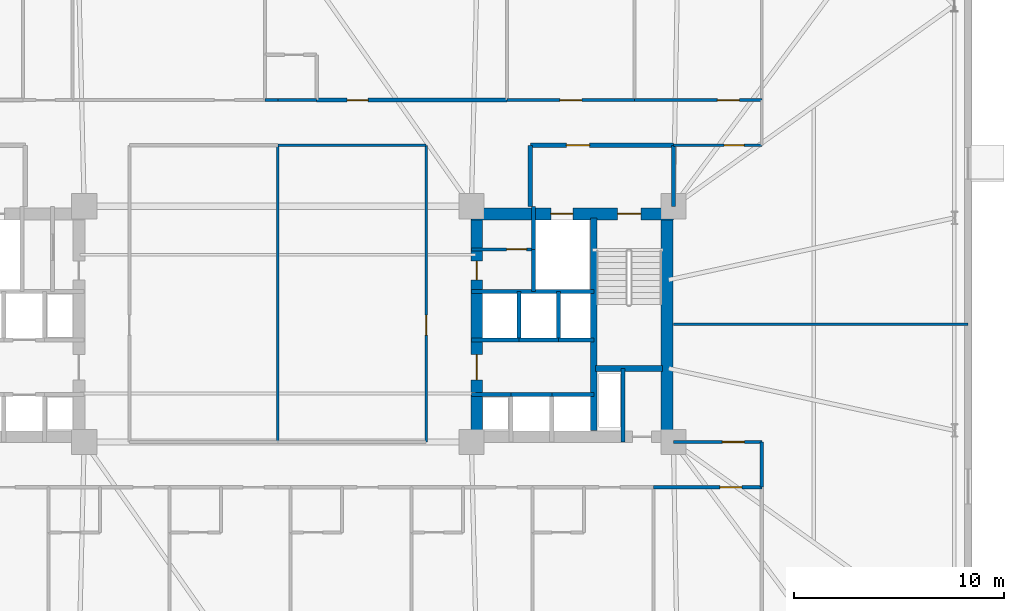
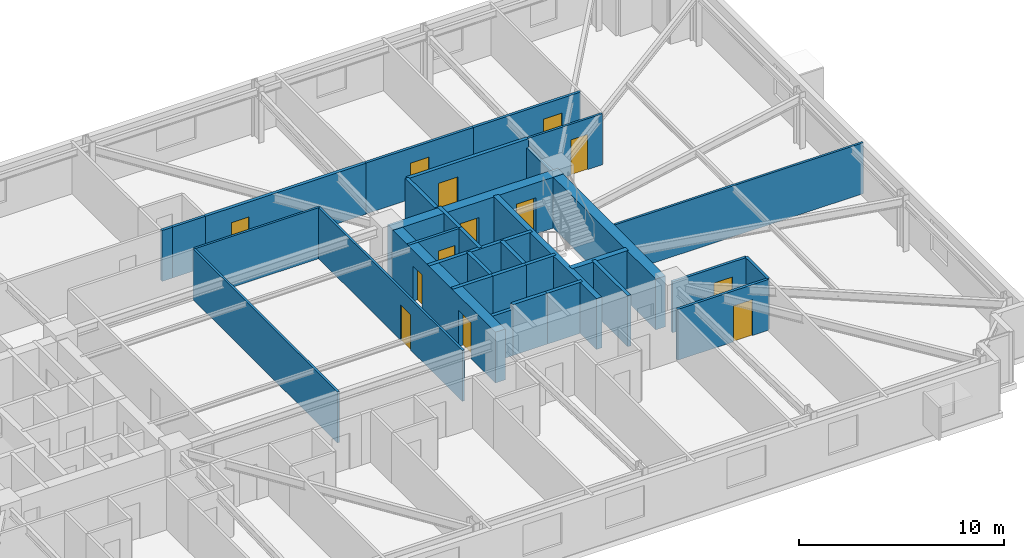
# One storey, part 17 of 20: 34 walls, 13 doors, 13 openings.
"""IFC4 building model written with IfcOpenShell, lengths in metres."""

from ifc_helpers import new_model, si_unit, direction, frame, frame_2d, origin, place, context, subcontext, project, spatial, rectangle, extrude, material, layer, layer_set, type_object, element, fill, save


model = new_model("IFC4")

# Units and contexts
model_context = context("Model", 3, precision=1e-05, world=origin(), true_north=direction((0.0, 1.0)))
body_context = subcontext(model_context, "Body", "Model", "MODEL_VIEW")
ifc_project = project(units=[si_unit("LENGTHUNIT", "METRE"), si_unit("AREAUNIT", "SQUARE_METRE"), si_unit("VOLUMEUNIT", "CUBIC_METRE"), si_unit("PLANEANGLEUNIT", "RADIAN"), si_unit("MASSUNIT", "GRAM", prefix="KILO")], contexts=[model_context])

# Site, building, storey
site_placement = place(None, origin())
site = spatial("IfcSite", under=ifc_project, at=site_placement, CompositionType="ELEMENT")
building_placement = place(site_placement, origin())
building = spatial("IfcBuilding", under=site, at=building_placement, Name="Qobustan Lattice House", CompositionType="ELEMENT")
storey_placement = place(building_placement, frame((0.0, 0.0, 67.199951171875)))
storey = spatial("IfcBuildingStorey", under=building, at=storey_placement, Name="L18", CompositionType="ELEMENT", Elevation=67.199951171875)

# Wall, openings, doors
ifc_material_1 = material(Name="Concrete C60/75", Category="concrete")
ifc_layer_1 = layer(ifc_material_1, 0.56005859375)
ifc_layer_set_1 = layer_set([ifc_layer_1], Name="Concrete C60/75")
wall_type_1 = type_object("IfcWallType", Name="WAL-CORE-600", PredefinedType="SHEAR", material=ifc_layer_set_1)
wall_1_placement = place(storey_placement, frame((9.199951171875, 5.239990234375, 0.0), z_axis=(0.0, 0.0, 1.0), x_axis=(1.0, 0.0, 0.0)))
wall_1 = element("IfcWall", 1, at=wall_1_placement, inside=storey, type_object=wall_type_1, Name="L18 split-core shear wall CE-N", PredefinedType="SHEAR", context=body_context, shape_type="SweptSolid", body=[
    extrude(rectangle(XDim=9.60009765625, YDim=0.56005859375, at=frame_2d((4.800048828125, 0.0))), origin(), (0.0, 0.0, 1.0), 3.03515625),
])
opening_1_placement = place(wall_1_placement, frame((6.949951171875, 0.0, 0.0)))
opening_1 = element("IfcOpeningElement", 2, at=opening_1_placement, cuts=wall_1, Name="Opening SD-01", PredefinedType="OPENING", context=body_context, shape_type="SweptSolid", body=[
    extrude(rectangle(XDim=1.10009765625, YDim=2.14990234375, at=frame_2d((0.550048828125, 1.074951171875))), frame((0.0, 0.2900390625, 0.0), z_axis=(0.0, -1.0, 0.0), x_axis=(1.0, 0.0, 0.0)), (0.0, 0.0, 1.0), 0.580078125),
])
opening_2_placement = place(wall_1_placement, frame((3.77490234375, 0.0, 0.0)))
opening_2 = element("IfcOpeningElement", 3, at=opening_2_placement, cuts=wall_1, Name="Opening LD-01", PredefinedType="OPENING", context=body_context, shape_type="SweptSolid", body=[
    extrude(rectangle(XDim=1.050048828125, YDim=2.10009765625, at=frame_2d((0.52490234375, 1.050048828125))), frame((0.0, 0.2900390625, 0.0), z_axis=(0.0, -1.0, 0.0), x_axis=(1.0, 0.0, 0.0)), (0.0, 0.0, 1.0), 0.580078125),
])
ifc_material_2 = material(Name="Persian walnut timber and steel frame door", Category="steel")
door_type_1 = type_object("IfcDoorType", Name="DOR-LIFT-LD-1050x2100", OperationType="NOTDEFINED", PredefinedType="DOOR", material=ifc_material_2)
door_1_placement = place(opening_2_placement, origin())
door_1 = element("IfcDoor", 4, at=door_1_placement, inside=storey, type_object=door_type_1, Name="L18 firefighting lift FF-E landing door", OperationType="DOUBLE_DOOR_SLIDING", OverallHeight=2.10009765625, OverallWidth=1.050048828125, PredefinedType="DOOR", context=body_context, shape_type="SweptSolid", body=[
    extrude(rectangle(XDim=1.050048828125, YDim=2.10009765625, at=frame_2d((0.52490234375, 1.050048828125))), frame((0.0, 0.02490234375, 0.0), z_axis=(0.0, -1.0, 0.0), x_axis=(1.0, 0.0, 0.0)), (0.0, 0.0, 1.0), 0.050048828125),
])
fill(opening_2, door_1)
ifc_material_3 = material(Name="Persian walnut timber and steel frame door", Category="steel")
door_type_2 = type_object("IfcDoorType", Name="DOR-STAIR-FD-1100x2150", OperationType="NOTDEFINED", PredefinedType="DOOR", material=ifc_material_3)
door_2_placement = place(opening_1_placement, origin())
door_2 = element("IfcDoor", 5, at=door_2_placement, inside=storey, type_object=door_type_2, Name="L18 exit stair ST-E1 fire door", OperationType="SINGLE_SWING_RIGHT", OverallHeight=2.14990234375, OverallWidth=1.10009765625, PredefinedType="DOOR", context=body_context, shape_type="SweptSolid", body=[
    extrude(rectangle(XDim=1.10009765625, YDim=2.14990234375, at=frame_2d((0.550048828125, 1.074951171875))), frame((0.0, 0.02490234375, 0.0), z_axis=(0.0, -1.0, 0.0), x_axis=(1.0, 0.0, 0.0)), (0.0, 0.0, 1.0), 0.050048828125),
])
fill(opening_1, door_2)

wall_2_placement = place(storey_placement, frame((9.449951171875, -5.050048828125, 0.0), z_axis=(0.0, 0.0, 1.0), x_axis=(0.0, 1.0, 0.0)))
wall_2 = element("IfcWall", 6, at=wall_2_placement, inside=storey, type_object=wall_type_1, Name="L18 split-core shear wall CE-W", PredefinedType="SHEAR", context=body_context, shape_type="SweptSolid", body=[
    extrude(rectangle(XDim=10.10009765625, YDim=0.56005859375, at=frame_2d((5.050048828125, 0.0))), origin(), (0.0, 0.0, 1.0), 3.03515625),
])
opening_3_placement = place(wall_2_placement, frame((7.14990234375, 0.0, 0.0)))
opening_3 = element("IfcOpeningElement", 7, at=opening_3_placement, cuts=wall_2, Name="Opening RD-01", PredefinedType="OPENING", context=body_context, shape_type="SweptSolid", body=[
    extrude(rectangle(XDim=0.89990234375, YDim=2.10009765625, at=frame_2d((0.449951171875, 1.050048828125))), frame((0.0, 0.2900390625, 0.0), z_axis=(0.0, -1.0, 0.0), x_axis=(1.0, 0.0, 0.0)), (0.0, 0.0, 1.0), 0.580078125),
])
opening_4_placement = place(wall_2_placement, frame((2.39990234375, 0.0, 0.0)))
opening_4 = element("IfcOpeningElement", 8, at=opening_4_placement, cuts=wall_2, Name="Opening FD-01", PredefinedType="OPENING", context=body_context, shape_type="SweptSolid", body=[
    extrude(rectangle(XDim=1.199951171875, YDim=2.14990234375, at=frame_2d((0.60009765625, 1.074951171875))), frame((0.0, 0.2900390625, 0.0), z_axis=(0.0, -1.0, 0.0), x_axis=(1.0, 0.0, 0.0)), (0.0, 0.0, 1.0), 0.580078125),
])
ifc_material_4 = material(Name="Persian walnut timber and steel frame door", Category="steel")
door_type_3 = type_object("IfcDoorType", Name="DOR-LOBBY-FD-1200x2150", OperationType="NOTDEFINED", PredefinedType="DOOR", material=ifc_material_4)
door_3_placement = place(opening_4_placement, origin())
door_3 = element("IfcDoor", 9, at=door_3_placement, inside=storey, type_object=door_type_3, Name="L18 East passenger lift lobby fire door", OperationType="SINGLE_SWING_RIGHT", OverallHeight=2.14990234375, OverallWidth=1.199951171875, PredefinedType="DOOR", context=body_context, shape_type="SweptSolid", body=[
    extrude(rectangle(XDim=1.199951171875, YDim=2.14990234375, at=frame_2d((0.60009765625, 1.074951171875))), frame((0.0, 0.02490234375, 0.0), z_axis=(0.0, -1.0, 0.0), x_axis=(1.0, 0.0, 0.0)), (0.0, 0.0, 1.0), 0.050048828125),
])
fill(opening_4, door_3)
ifc_material_5 = material(Name="Persian walnut timber and steel frame door", Category="steel")
door_type_4 = type_object("IfcDoorType", Name="DOR-RISER-FD-900x2100", OperationType="NOTDEFINED", PredefinedType="DOOR", material=ifc_material_5)
door_4_placement = place(opening_3_placement, origin())
door_4 = element("IfcDoor", 10, at=door_4_placement, inside=storey, type_object=door_type_4, Name="L18 Housekeeping utility foyer fire door", OperationType="SINGLE_SWING_LEFT", OverallHeight=2.10009765625, OverallWidth=0.89990234375, PredefinedType="DOOR", context=body_context, shape_type="SweptSolid", body=[
    extrude(rectangle(XDim=0.89990234375, YDim=2.10009765625, at=frame_2d((0.449951171875, 1.050048828125))), frame((0.0, 0.02490234375, 0.0), z_axis=(0.0, -1.0, 0.0), x_axis=(1.0, 0.0, 0.0)), (0.0, 0.0, 1.0), 0.050048828125),
])
fill(opening_3, door_4)

# Walls
wall_3_placement = place(storey_placement, frame((18.489990234375, -5.050048828125, 0.0), z_axis=(0.0, 0.0, 1.0), x_axis=(0.0, 1.0, 0.0)))
element("IfcWall", 11, at=wall_3_placement, inside=storey, type_object=wall_type_1, Name="L18 split-core shear wall CE-E", PredefinedType="SHEAR", context=body_context, shape_type="SweptSolid", body=[
    extrude(rectangle(XDim=10.10009765625, YDim=0.56005859375, at=frame_2d((5.050048828125, 0.0))), origin(), (0.0, 0.0, 1.0), 3.03515625),
])
ifc_material_6 = material(Name="Concrete C50/60", Category="concrete")
ifc_layer_2 = layer(ifc_material_6, 0.280029296875)
ifc_layer_set_2 = layer_set([ifc_layer_2], Name="Concrete C50/60")
wall_type_2 = type_object("IfcWallType", Name="WAL-CORE-SPINE-280", PredefinedType="SHEAR", material=ifc_layer_set_2)
wall_4_placement = place(storey_placement, frame((15.02001953125, -5.050048828125, 0.0), z_axis=(0.0, 0.0, 1.0), x_axis=(0.0, 1.0, 0.0)))
element("IfcWall", 12, at=wall_4_placement, inside=storey, type_object=wall_type_2, Name="L18 split-core shear wall CE-M", PredefinedType="SHEAR", context=body_context, shape_type="SweptSolid", body=[
    extrude(rectangle(XDim=10.10009765625, YDim=0.300048828125, at=frame_2d((5.050048828125, 0.0))), origin(), (0.0, 0.0, 1.0), 3.03515625),
])
wall_5_placement = place(storey_placement, frame((15.10009765625, -2.110107421875, 0.0), z_axis=(0.0, 0.0, 1.0), x_axis=(1.0, 0.0, 0.0)))
element("IfcWall", 13, at=wall_5_placement, inside=storey, type_object=wall_type_2, Name="L18 split-core shear wall CE-ST", PredefinedType="SHEAR", context=body_context, shape_type="SweptSolid", body=[
    extrude(rectangle(XDim=3.179931640625, YDim=0.300048828125, at=frame_2d((1.58984375, 0.0))), origin(), (0.0, 0.0, 1.0), 3.03515625),
])

# Wall, opening, door
ifc_material_7 = material(Name="Gypsum fireboard acoustic partition", Category="gypsum")
ifc_layer_3 = layer(ifc_material_7, 0.179931640625)
ifc_layer_set_3 = layer_set([ifc_layer_3], Name="Gypsum fireboard acoustic partition")
wall_type_3 = type_object("IfcWallType", Name="WAL-FIRE-180", PredefinedType="PARTITIONING", material=ifc_layer_set_3)
wall_6_placement = place(storey_placement, frame((1.85009765625, 10.64990234375, 0.0), z_axis=(0.0, 0.0, 1.0), x_axis=(1.0, 0.0, 0.0)))
wall_6 = element("IfcWall", 14, at=wall_6_placement, inside=storey, type_object=wall_type_3, Name="L18 interior partition 49", PredefinedType="PARTITIONING", context=body_context, shape_type="SweptSolid", body=[
    extrude(rectangle(XDim=9.0498046875, YDim=0.179931640625, at=frame_2d((4.52490234375, 0.0))), origin(), (0.0, 0.0, 1.0), 3.03515625),
])
opening_5_placement = place(wall_6_placement, frame((1.44140625, 0.0, 0.0)))
opening_5 = element("IfcOpeningElement", 15, at=opening_5_placement, cuts=wall_6, Name="Opening FD-02", PredefinedType="OPENING", context=body_context, shape_type="SweptSolid", body=[
    extrude(rectangle(XDim=1.0, YDim=2.14990234375, at=frame_2d((0.5, 1.074951171875))), frame((0.0, 0.099853515625, 0.0), z_axis=(0.0, -1.0, 0.0), x_axis=(1.0, 0.0, 0.0)), (0.0, 0.0, 1.0), 0.199951171875),
])
ifc_material_8 = material(Name="Persian walnut timber and steel frame door", Category="steel")
door_type_5 = type_object("IfcDoorType", Name="DOR-UNIT-FD-1000x2150", OperationType="NOTDEFINED", PredefinedType="DOOR", material=ifc_material_8)
door_5_placement = place(opening_5_placement, origin())
door_5 = element("IfcDoor", 16, at=door_5_placement, inside=storey, type_object=door_type_5, Name="L18 North-east floor corridor to Kitchenette and studio apartment L18-N3 door", OperationType="SINGLE_SWING_LEFT", OverallHeight=2.14990234375, OverallWidth=1.0, PredefinedType="DOOR", context=body_context, shape_type="SweptSolid", body=[
    extrude(rectangle(XDim=1.0, YDim=2.14990234375, at=frame_2d((0.5, 1.074951171875))), frame((0.0, 0.02490234375, 0.0), z_axis=(0.0, -1.0, 0.0), x_axis=(1.0, 0.0, 0.0)), (0.0, 0.0, 1.0), 0.050048828125),
])
fill(opening_5, door_5)

ifc_material_9 = material(Name="Lightweight acoustic stud partition", Category="gypsum")
ifc_layer_4 = layer(ifc_material_9, 0.125)
ifc_layer_set_4 = layer_set([ifc_layer_4], Name="Lightweight acoustic stud partition")
wall_type_4 = type_object("IfcWallType", Name="WAL-PART-125", PredefinedType="PARTITIONING", material=ifc_layer_set_4)
wall_7_placement = place(storey_placement, frame((23.0, 8.5, 0.0), z_axis=(0.0, 0.0, 1.0), x_axis=(-1.0, 0.0, 0.0)))
wall_7 = element("IfcWall", 17, at=wall_7_placement, inside=storey, type_object=wall_type_4, Name="L18 interior partition 47", PredefinedType="PARTITIONING", context=body_context, shape_type="SweptSolid", body=[
    extrude(rectangle(XDim=4.199951171875, YDim=0.125, at=frame_2d((2.10009765625, 0.0))), origin(), (0.0, 0.0, 1.0), 3.03515625),
])
opening_6_placement = place(wall_7_placement, frame((0.84130859375, 0.0, 0.0)))
opening_6 = element("IfcOpeningElement", 18, at=opening_6_placement, cuts=wall_7, Name="Opening ID-01", PredefinedType="OPENING", context=body_context, shape_type="SweptSolid", body=[
    extrude(rectangle(XDim=0.949951171875, YDim=2.10009765625, at=frame_2d((0.47509765625, 1.050048828125))), frame((0.0, 0.072509765625, 0.0), z_axis=(0.0, -1.0, 0.0), x_axis=(1.0, 0.0, 0.0)), (0.0, 0.0, 1.0), 0.14501953125),
])
ifc_material_10 = material(Name="Persian walnut timber and steel frame door", Category="steel")
door_type_6 = type_object("IfcDoorType", Name="DOR-ROOM-950x2100", OperationType="NOTDEFINED", PredefinedType="DOOR", material=ifc_material_10)
door_6_placement = place(opening_6_placement, origin())
door_6 = element("IfcDoor", 19, at=door_6_placement, inside=storey, type_object=door_type_6, Name="L18 North-east floor corridor to Music and podcast studio door", OperationType="SINGLE_SWING_RIGHT", OverallHeight=2.10009765625, OverallWidth=0.949951171875, PredefinedType="DOOR", context=body_context, shape_type="SweptSolid", body=[
    extrude(rectangle(XDim=0.949951171875, YDim=2.10009765625, at=frame_2d((0.47509765625, 1.050048828125))), frame((0.0, 0.02490234375, 0.0), z_axis=(0.0, -1.0, 0.0), x_axis=(1.0, 0.0, 0.0)), (0.0, 0.0, 1.0), 0.050048828125),
])
fill(opening_6, door_6)

# Wall
wall_8_placement = place(storey_placement, frame((7.050048828125, 8.5, 0.0), z_axis=(0.0, 0.0, 1.0), x_axis=(-1.0, 0.0, 0.0)))
element("IfcWall", 20, at=wall_8_placement, inside=storey, type_object=wall_type_4, Name="L18 interior partition 53", PredefinedType="PARTITIONING", context=body_context, shape_type="SweptSolid", body=[
    extrude(rectangle(XDim=7.050048828125, YDim=0.125, at=frame_2d((3.52490234375, 0.0))), origin(), (0.0, 0.0, 1.0), 3.03515625),
])

# Wall, opening, door
wall_9_placement = place(storey_placement, frame((7.050048828125, -5.60009765625, 0.0), z_axis=(0.0, 0.0, 1.0), x_axis=(0.0, 1.0, 0.0)))
wall_9 = element("IfcWall", 21, at=wall_9_placement, inside=storey, type_object=wall_type_4, Name="L18 interior partition 77", PredefinedType="PARTITIONING", context=body_context, shape_type="SweptSolid", body=[
    extrude(rectangle(XDim=14.10009765625, YDim=0.125, at=frame_2d((7.050048828125, 0.0))), origin(), (0.0, 0.0, 1.0), 3.03515625),
])
opening_7_placement = place(wall_9_placement, frame((5.076171875, 0.0, 0.0)))
opening_7 = element("IfcOpeningElement", 22, at=opening_7_placement, cuts=wall_9, Name="Opening ID-01", PredefinedType="OPENING", context=body_context, shape_type="SweptSolid", body=[
    extrude(rectangle(XDim=0.949951171875, YDim=2.10009765625, at=frame_2d((0.47509765625, 1.050048828125))), frame((0.0, 0.072509765625, 0.0), z_axis=(0.0, -1.0, 0.0), x_axis=(1.0, 0.0, 0.0)), (0.0, 0.0, 1.0), 0.14501953125),
])
door_7_placement = place(opening_7_placement, origin())
door_7 = element("IfcDoor", 23, at=door_7_placement, inside=storey, type_object=door_type_6, Name="L18 East floor link corridor to Focus pod suite door", OperationType="SINGLE_SWING_RIGHT", OverallHeight=2.10009765625, OverallWidth=0.949951171875, PredefinedType="DOOR", context=body_context, shape_type="SweptSolid", body=[
    extrude(rectangle(XDim=0.949951171875, YDim=2.10009765625, at=frame_2d((0.47509765625, 1.050048828125))), frame((0.0, 0.02490234375, 0.0), z_axis=(0.0, -1.0, 0.0), x_axis=(1.0, 0.0, 0.0)), (0.0, 0.0, 1.0), 0.050048828125),
])
fill(opening_7, door_7)

# Walls
wall_10_placement = place(storey_placement, frame((18.800048828125, 0.0, 0.0), z_axis=(0.0, 0.0, 1.0), x_axis=(1.0, 0.0, 0.0)))
element("IfcWall", 24, at=wall_10_placement, inside=storey, type_object=wall_type_4, Name="L18 interior partition 88", PredefinedType="PARTITIONING", context=body_context, shape_type="SweptSolid", body=[
    extrude(rectangle(XDim=14.0, YDim=0.125, at=frame_2d((7.0, 0.0))), origin(), (0.0, 0.0, 1.0), 3.03515625),
])
wall_11_placement = place(storey_placement, frame((0.0, 8.5, 0.0), z_axis=(0.0, 0.0, 1.0), x_axis=(0.0, -1.0, 0.0)))
element("IfcWall", 25, at=wall_11_placement, inside=storey, type_object=wall_type_4, Name="L18 interior partition 125", PredefinedType="PARTITIONING", context=body_context, shape_type="SweptSolid", body=[
    extrude(rectangle(XDim=14.10009765625, YDim=0.125, at=frame_2d((7.050048828125, 0.0))), origin(), (0.0, 0.0, 1.0), 3.03515625),
])

# Wall, opening, door
ifc_material_11 = material(Name="Acoustic twin-stud gypsum partition", Category="gypsum")
ifc_layer_5 = layer(ifc_material_11, 0.14990234375)
ifc_layer_set_5 = layer_set([ifc_layer_5], Name="Acoustic twin-stud gypsum partition")
wall_type_5 = type_object("IfcWallType", Name="WAL-PART-150", PredefinedType="PARTITIONING", material=ifc_layer_set_5)
wall_12_placement = place(storey_placement, frame((12.14990234375, 3.550048828125, 0.0), z_axis=(0.0, 0.0, 1.0), x_axis=(-1.0, 0.0, 0.0)))
wall_12 = element("IfcWall", 26, at=wall_12_placement, inside=storey, type_object=wall_type_5, Name="L18 interior partition 26", PredefinedType="PARTITIONING", context=body_context, shape_type="SweptSolid", body=[
    extrude(rectangle(XDim=2.949951171875, YDim=0.14990234375, at=frame_2d((1.47509765625, 0.0))), origin(), (0.0, 0.0, 1.0), 3.03515625),
])
opening_8_placement = place(wall_12_placement, frame((0.324951171875, 0.0, 0.0)))
opening_8 = element("IfcOpeningElement", 27, at=opening_8_placement, cuts=wall_12, Name="Opening ID-01", PredefinedType="OPENING", context=body_context, shape_type="SweptSolid", body=[
    extrude(rectangle(XDim=0.949951171875, YDim=2.10009765625, at=frame_2d((0.47509765625, 1.050048828125))), frame((0.0, 0.0849609375, 0.0), z_axis=(0.0, -1.0, 0.0), x_axis=(1.0, 0.0, 0.0)), (0.0, 0.0, 1.0), 0.169921875),
])
door_8_placement = place(opening_8_placement, origin())
door_8 = element("IfcDoor", 28, at=door_8_placement, inside=storey, type_object=door_type_6, Name="L18 Housekeeping utility foyer to Cleaner cupboard door", OperationType="SINGLE_SWING_RIGHT", OverallHeight=2.10009765625, OverallWidth=0.949951171875, PredefinedType="DOOR", context=body_context, shape_type="SweptSolid", body=[
    extrude(rectangle(XDim=0.949951171875, YDim=2.10009765625, at=frame_2d((0.47509765625, 1.050048828125))), frame((0.0, 0.02490234375, 0.0), z_axis=(0.0, -1.0, 0.0), x_axis=(1.0, 0.0, 0.0)), (0.0, 0.0, 1.0), 0.050048828125),
])
fill(opening_8, door_8)

wall_13_placement = place(storey_placement, frame((10.89990234375, 10.64990234375, 0.0), z_axis=(0.0, 0.0, 1.0), x_axis=(1.0, 0.0, 0.0)))
wall_13 = element("IfcWall", 29, at=wall_13_placement, inside=storey, type_object=wall_type_5, Name="L18 interior partition 51", PredefinedType="PARTITIONING", context=body_context, shape_type="SweptSolid", body=[
    extrude(rectangle(XDim=6.050048828125, YDim=0.14990234375, at=frame_2d((3.02490234375, 0.0))), origin(), (0.0, 0.0, 1.0), 3.03515625),
])
opening_9_placement = place(wall_13_placement, frame((2.5, 0.0, 0.0)))
opening_9 = element("IfcOpeningElement", 30, at=opening_9_placement, cuts=wall_13, Name="Opening ID-02", PredefinedType="OPENING", context=body_context, shape_type="SweptSolid", body=[
    extrude(rectangle(XDim=1.050048828125, YDim=2.14990234375, at=frame_2d((0.52490234375, 1.074951171875))), frame((0.0, 0.0849609375, 0.0), z_axis=(0.0, -1.0, 0.0), x_axis=(1.0, 0.0, 0.0)), (0.0, 0.0, 1.0), 0.169921875),
])
ifc_material_12 = material(Name="Persian walnut timber and steel frame door", Category="steel")
door_type_7 = type_object("IfcDoorType", Name="DOR-STUDY-1050x2150", OperationType="NOTDEFINED", PredefinedType="DOOR", material=ifc_material_12)
door_9_placement = place(opening_9_placement, origin())
door_9 = element("IfcDoor", 31, at=door_9_placement, inside=storey, type_object=door_type_7, Name="L18 North-east floor corridor to Focus study room N4A door", OperationType="SINGLE_SWING_RIGHT", OverallHeight=2.14990234375, OverallWidth=1.050048828125, PredefinedType="DOOR", context=body_context, shape_type="SweptSolid", body=[
    extrude(rectangle(XDim=1.050048828125, YDim=2.14990234375, at=frame_2d((0.52490234375, 1.074951171875))), frame((0.0, 0.02490234375, 0.0), z_axis=(0.0, -1.0, 0.0), x_axis=(1.0, 0.0, 0.0)), (0.0, 0.0, 1.0), 0.050048828125),
])
fill(opening_9, door_9)

wall_14_placement = place(storey_placement, frame((16.949951171875, 10.64990234375, 0.0), z_axis=(0.0, 0.0, 1.0), x_axis=(1.0, 0.0, 0.0)))
wall_14 = element("IfcWall", 32, at=wall_14_placement, inside=storey, type_object=wall_type_5, Name="L18 interior partition 52", PredefinedType="PARTITIONING", context=body_context, shape_type="SweptSolid", body=[
    extrude(rectangle(XDim=6.050048828125, YDim=0.14990234375, at=frame_2d((3.02490234375, 0.0))), origin(), (0.0, 0.0, 1.0), 3.03515625),
])
opening_10_placement = place(wall_14_placement, frame((3.93994140625, 0.0, 0.0)))
opening_10 = element("IfcOpeningElement", 33, at=opening_10_placement, cuts=wall_14, Name="Opening ID-02", PredefinedType="OPENING", context=body_context, shape_type="SweptSolid", body=[
    extrude(rectangle(XDim=1.050048828125, YDim=2.14990234375, at=frame_2d((0.52490234375, 1.074951171875))), frame((0.0, 0.0849609375, 0.0), z_axis=(0.0, -1.0, 0.0), x_axis=(1.0, 0.0, 0.0)), (0.0, 0.0, 1.0), 0.169921875),
])
door_10_placement = place(opening_10_placement, origin())
door_10 = element("IfcDoor", 34, at=door_10_placement, inside=storey, type_object=door_type_7, Name="L18 North-east floor corridor to Focus study room N4B door", OperationType="SINGLE_SWING_LEFT", OverallHeight=2.14990234375, OverallWidth=1.050048828125, PredefinedType="DOOR", context=body_context, shape_type="SweptSolid", body=[
    extrude(rectangle(XDim=1.050048828125, YDim=2.14990234375, at=frame_2d((0.52490234375, 1.074951171875))), frame((0.0, 0.02490234375, 0.0), z_axis=(0.0, -1.0, 0.0), x_axis=(1.0, 0.0, 0.0)), (0.0, 0.0, 1.0), 0.050048828125),
])
fill(opening_10, door_10)

wall_15_placement = place(storey_placement, frame((18.800048828125, -5.60009765625, 0.0), z_axis=(0.0, 0.0, 1.0), x_axis=(1.0, 0.0, 0.0)))
wall_15 = element("IfcWall", 35, at=wall_15_placement, inside=storey, type_object=wall_type_5, Name="L18 interior partition 65", PredefinedType="PARTITIONING", context=body_context, shape_type="SweptSolid", body=[
    extrude(rectangle(XDim=4.199951171875, YDim=0.14990234375, at=frame_2d((2.10009765625, 0.0))), origin(), (0.0, 0.0, 1.0), 3.03515625),
])
opening_11_placement = place(wall_15_placement, frame((2.3212890625, 0.0, 0.0)))
opening_11 = element("IfcOpeningElement", 36, at=opening_11_placement, cuts=wall_15, Name="Opening ID-02", PredefinedType="OPENING", context=body_context, shape_type="SweptSolid", body=[
    extrude(rectangle(XDim=1.050048828125, YDim=2.14990234375, at=frame_2d((0.52490234375, 1.074951171875))), frame((0.0, 0.0849609375, 0.0), z_axis=(0.0, -1.0, 0.0), x_axis=(1.0, 0.0, 0.0)), (0.0, 0.0, 1.0), 0.169921875),
])
door_11_placement = place(opening_11_placement, origin())
door_11 = element("IfcDoor", 37, at=door_11_placement, inside=storey, type_object=door_type_7, Name="L18 South-east floor corridor to Academic seminar room door", OperationType="SINGLE_SWING_RIGHT", OverallHeight=2.14990234375, OverallWidth=1.050048828125, PredefinedType="DOOR", context=body_context, shape_type="SweptSolid", body=[
    extrude(rectangle(XDim=1.050048828125, YDim=2.14990234375, at=frame_2d((0.52490234375, 1.074951171875))), frame((0.0, 0.02490234375, 0.0), z_axis=(0.0, -1.0, 0.0), x_axis=(1.0, 0.0, 0.0)), (0.0, 0.0, 1.0), 0.050048828125),
])
fill(opening_11, door_11)

# Wall
wall_16_placement = place(storey_placement, frame((23.0, -5.60009765625, 0.0), z_axis=(0.0, 0.0, 1.0), x_axis=(0.0, -1.0, 0.0)))
element("IfcWall", 38, at=wall_16_placement, inside=storey, type_object=wall_type_5, Name="L18 interior partition 66", PredefinedType="PARTITIONING", context=body_context, shape_type="SweptSolid", body=[
    extrude(rectangle(XDim=2.14990234375, YDim=0.14990234375, at=frame_2d((1.074951171875, 0.0))), origin(), (0.0, 0.0, 1.0), 3.03515625),
])

# Wall, opening, door
wall_17_placement = place(storey_placement, frame((23.0, -7.75, 0.0), z_axis=(0.0, 0.0, 1.0), x_axis=(-1.0, 0.0, 0.0)))
wall_17 = element("IfcWall", 39, at=wall_17_placement, inside=storey, type_object=wall_type_5, Name="L18 interior partition 74", PredefinedType="PARTITIONING", context=body_context, shape_type="SweptSolid", body=[
    extrude(rectangle(XDim=5.14990234375, YDim=0.14990234375, at=frame_2d((2.574951171875, 0.0))), origin(), (0.0, 0.0, 1.0), 3.03515625),
])
opening_12_placement = place(wall_17_placement, frame((0.947509765625, 0.0, 0.0)))
opening_12 = element("IfcOpeningElement", 40, at=opening_12_placement, cuts=wall_17, Name="Opening ID-02", PredefinedType="OPENING", context=body_context, shape_type="SweptSolid", body=[
    extrude(rectangle(XDim=1.050048828125, YDim=2.14990234375, at=frame_2d((0.52490234375, 1.074951171875))), frame((0.0, 0.0849609375, 0.0), z_axis=(0.0, -1.0, 0.0), x_axis=(1.0, 0.0, 0.0)), (0.0, 0.0, 1.0), 0.169921875),
])
door_12_placement = place(opening_12_placement, origin())
door_12 = element("IfcDoor", 41, at=door_12_placement, inside=storey, type_object=door_type_7, Name="L18 South-east floor corridor to Group study room door", OperationType="SINGLE_SWING_RIGHT", OverallHeight=2.14990234375, OverallWidth=1.050048828125, PredefinedType="DOOR", context=body_context, shape_type="SweptSolid", body=[
    extrude(rectangle(XDim=1.050048828125, YDim=2.14990234375, at=frame_2d((0.52490234375, 1.074951171875))), frame((0.0, 0.02490234375, 0.0), z_axis=(0.0, -1.0, 0.0), x_axis=(1.0, 0.0, 0.0)), (0.0, 0.0, 1.0), 0.050048828125),
])
fill(opening_12, door_12)

ifc_material_13 = material(Name="Two-hour gypsum fireboard acoustic partition", Category="gypsum")
ifc_layer_6 = layer(ifc_material_13, 0.199951171875)
ifc_layer_set_6 = layer_set([ifc_layer_6], Name="Two-hour gypsum fireboard acoustic partition")
wall_type_6 = type_object("IfcWallType", Name="WAL-PROT-200", PredefinedType="PARTITIONING", material=ifc_layer_set_6)
wall_18_placement = place(storey_placement, frame((18.800048828125, 8.5, 0.0), z_axis=(0.0, 0.0, 1.0), x_axis=(-1.0, 0.0, 0.0)))
wall_18 = element("IfcWall", 42, at=wall_18_placement, inside=storey, type_object=wall_type_6, Name="L18 interior partition 23", PredefinedType="PARTITIONING", context=body_context, shape_type="SweptSolid", body=[
    extrude(rectangle(XDim=6.800048828125, YDim=0.199951171875, at=frame_2d((3.39990234375, 0.0))), origin(), (0.0, 0.0, 1.0), 3.03515625),
])
opening_13_placement = place(wall_18_placement, frame((3.985107421875, 0.0, 0.0)))
opening_13 = element("IfcOpeningElement", 43, at=opening_13_placement, cuts=wall_18, Name="Opening SD-01", PredefinedType="OPENING", context=body_context, shape_type="SweptSolid", body=[
    extrude(rectangle(XDim=1.10009765625, YDim=2.14990234375, at=frame_2d((0.550048828125, 1.074951171875))), frame((0.0, 0.10986328125, 0.0), z_axis=(0.0, -1.0, 0.0), x_axis=(1.0, 0.0, 0.0)), (0.0, 0.0, 1.0), 0.219970703125),
])
door_13_placement = place(opening_13_placement, origin())
door_13 = element("IfcDoor", 44, at=door_13_placement, inside=storey, type_object=door_type_2, Name="L18 East firefighting lift lobby to North-east floor corridor door", OperationType="SINGLE_SWING_LEFT", OverallHeight=2.14990234375, OverallWidth=1.10009765625, PredefinedType="DOOR", context=body_context, shape_type="SweptSolid", body=[
    extrude(rectangle(XDim=1.10009765625, YDim=2.14990234375, at=frame_2d((0.550048828125, 1.074951171875))), frame((0.0, 0.02490234375, 0.0), z_axis=(0.0, -1.0, 0.0), x_axis=(1.0, 0.0, 0.0)), (0.0, 0.0, 1.0), 0.050048828125),
])
fill(opening_13, door_13)

# Walls
wall_19_placement = place(storey_placement, frame((12.0, 8.5, 0.0), z_axis=(0.0, 0.0, 1.0), x_axis=(0.0, -1.0, 0.0)))
element("IfcWall", 45, at=wall_19_placement, inside=storey, type_object=wall_type_6, Name="L18 interior partition 24", PredefinedType="PARTITIONING", context=body_context, shape_type="SweptSolid", body=[
    extrude(rectangle(XDim=2.89990234375, YDim=0.199951171875, at=frame_2d((1.449951171875, 0.0))), origin(), (0.0, 0.0, 1.0), 3.03515625),
])
wall_20_placement = place(storey_placement, frame((18.800048828125, 5.60009765625, 0.0), z_axis=(0.0, 0.0, 1.0), x_axis=(0.0, 1.0, 0.0)))
element("IfcWall", 46, at=wall_20_placement, inside=storey, type_object=wall_type_6, Name="L18 interior partition 25", PredefinedType="PARTITIONING", context=body_context, shape_type="SweptSolid", body=[
    extrude(rectangle(XDim=2.89990234375, YDim=0.199951171875, at=frame_2d((1.449951171875, 0.0))), origin(), (0.0, 0.0, 1.0), 2.52001953125),
])
ifc_material_14 = material(Name="Concrete C40/50", Category="concrete")
ifc_layer_7 = layer(ifc_material_14, 0.199951171875)
ifc_layer_set_7 = layer_set([ifc_layer_7], Name="Concrete C40/50")
wall_type_7 = type_object("IfcWallType", Name="WAL-SHAFT-200", PredefinedType="PARTITIONING", material=ifc_layer_set_7)
wall_21_placement = place(storey_placement, frame((16.39990234375, -2.110107421875, 0.0), z_axis=(0.0, 0.0, 1.0), x_axis=(0.0, -1.0, 0.0)))
element("IfcWall", 47, at=wall_21_placement, inside=storey, type_object=wall_type_7, Name="L18 interior partition 20", PredefinedType="PARTITIONING", context=body_context, shape_type="SweptSolid", body=[
    extrude(rectangle(XDim=3.489990234375, YDim=0.199951171875, at=frame_2d((1.7451171875, 0.0))), origin(), (0.0, 0.0, 1.0), 3.03515625),
])
wall_22_placement = place(storey_placement, frame((12.14990234375, 3.550048828125, 0.0), z_axis=(0.0, 0.0, 1.0), x_axis=(0.0, -1.0, 0.0)))
element("IfcWall", 48, at=wall_22_placement, inside=storey, type_object=wall_type_7, Name="L18 interior partition 21", PredefinedType="PARTITIONING", context=body_context, shape_type="SweptSolid", body=[
    extrude(rectangle(XDim=2.0, YDim=0.199951171875, at=frame_2d((1.0, 0.0))), origin(), (0.0, 0.0, 1.0), 3.03515625),
])
wall_23_placement = place(storey_placement, frame((12.14990234375, 5.60009765625, 0.0), z_axis=(0.0, 0.0, 1.0), x_axis=(0.0, -1.0, 0.0)))
element("IfcWall", 49, at=wall_23_placement, inside=storey, type_object=wall_type_7, Name="L18 interior partition 22", PredefinedType="PARTITIONING", context=body_context, shape_type="SweptSolid", body=[
    extrude(rectangle(XDim=2.050048828125, YDim=0.199951171875, at=frame_2d((1.02490234375, 0.0))), origin(), (0.0, 0.0, 1.0), 3.03515625),
])
wall_24_placement = place(storey_placement, frame((9.199951171875, -3.35009765625, 0.0), z_axis=(0.0, 0.0, 1.0), x_axis=(1.0, 0.0, 0.0)))
element("IfcWall", 50, at=wall_24_placement, inside=storey, type_object=wall_type_7, Name="L18 interior partition 28", PredefinedType="PARTITIONING", context=body_context, shape_type="SweptSolid", body=[
    extrude(rectangle(XDim=1.880126953125, YDim=0.199951171875, at=frame_2d((0.93994140625, 0.0))), origin(), (0.0, 0.0, 1.0), 2.75),
])
wall_25_placement = place(storey_placement, frame((11.080078125, -3.35009765625, 0.0), z_axis=(0.0, 0.0, 1.0), x_axis=(1.0, 0.0, 0.0)))
element("IfcWall", 51, at=wall_25_placement, inside=storey, type_object=wall_type_7, Name="L18 interior partition 29", PredefinedType="PARTITIONING", context=body_context, shape_type="SweptSolid", body=[
    extrude(rectangle(XDim=1.93994140625, YDim=0.199951171875, at=frame_2d((0.969970703125, 0.0))), origin(), (0.0, 0.0, 1.0), 3.03515625),
])
wall_26_placement = place(storey_placement, frame((13.02001953125, -3.35009765625, 0.0), z_axis=(0.0, 0.0, 1.0), x_axis=(1.0, 0.0, 0.0)))
element("IfcWall", 52, at=wall_26_placement, inside=storey, type_object=wall_type_7, Name="L18 interior partition 30", PredefinedType="PARTITIONING", context=body_context, shape_type="SweptSolid", body=[
    extrude(rectangle(XDim=2.0, YDim=0.199951171875, at=frame_2d((1.0, 0.0))), origin(), (0.0, 0.0, 1.0), 3.03515625),
])
wall_27_placement = place(storey_placement, frame((11.4599609375, -0.75, 0.0), z_axis=(0.0, 0.0, 1.0), x_axis=(-1.0, 0.0, 0.0)))
element("IfcWall", 53, at=wall_27_placement, inside=storey, type_object=wall_type_7, Name="L18 interior partition 31", PredefinedType="PARTITIONING", context=body_context, shape_type="SweptSolid", body=[
    extrude(rectangle(XDim=2.260009765625, YDim=0.199951171875, at=frame_2d((1.1298828125, 0.0))), origin(), (0.0, 0.0, 1.0), 3.03515625),
])
wall_28_placement = place(storey_placement, frame((13.340087890625, -0.75, 0.0), z_axis=(0.0, 0.0, 1.0), x_axis=(-1.0, 0.0, 0.0)))
element("IfcWall", 54, at=wall_28_placement, inside=storey, type_object=wall_type_7, Name="L18 interior partition 32", PredefinedType="PARTITIONING", context=body_context, shape_type="SweptSolid", body=[
    extrude(rectangle(XDim=1.880126953125, YDim=0.199951171875, at=frame_2d((0.93994140625, 0.0))), origin(), (0.0, 0.0, 1.0), 3.03515625),
])
wall_29_placement = place(storey_placement, frame((15.02001953125, -0.75, 0.0), z_axis=(0.0, 0.0, 1.0), x_axis=(-1.0, 0.0, 0.0)))
element("IfcWall", 55, at=wall_29_placement, inside=storey, type_object=wall_type_7, Name="L18 interior partition 33", PredefinedType="PARTITIONING", context=body_context, shape_type="SweptSolid", body=[
    extrude(rectangle(XDim=1.679931640625, YDim=0.199951171875, at=frame_2d((0.83984375, 0.0))), origin(), (0.0, 0.0, 1.0), 3.03515625),
])
for number, where, z_axis, x_axis, name in (
    (56, (11.4599609375, -0.75, 0.0), (0.0, 0.0, 1.0), (0.0, 1.0, 0.0), "L18 interior partition 37"),
    (57, (13.340087890625, -0.75, 0.0), (0.0, 0.0, 1.0), (0.0, 1.0, 0.0), "L18 interior partition 38"),
):
    element("IfcWall", number, at=place(storey_placement, frame(where, z_axis=z_axis, x_axis=x_axis)), inside=storey, type_object=wall_type_7, Name=name, PredefinedType="PARTITIONING", context=body_context, shape_type="SweptSolid", body=[
        extrude(rectangle(XDim=2.300048828125, YDim=0.199951171875, at=frame_2d((1.14990234375, 0.0))), origin(), (0.0, 0.0, 1.0), 3.03515625),
    ])
wall_30_placement = place(storey_placement, frame((9.199951171875, 1.550048828125, 0.0), z_axis=(0.0, 0.0, 1.0), x_axis=(1.0, 0.0, 0.0)))
element("IfcWall", 58, at=wall_30_placement, inside=storey, type_object=wall_type_7, Name="L18 interior partition 127", PredefinedType="PARTITIONING", context=body_context, shape_type="SweptSolid", body=[
    extrude(rectangle(XDim=5.820068359375, YDim=0.199951171875, at=frame_2d((2.91015625, 0.0))), origin(), (0.0, 0.0, 1.0), 3.03515625),
])
ifc_material_15 = material(Name="Moisture-resistant acoustic plumbing wall", Category="gypsum")
ifc_layer_8 = layer(ifc_material_15, 0.14990234375)
ifc_layer_set_8 = layer_set([ifc_layer_8], Name="Moisture-resistant acoustic plumbing wall")
wall_type_8 = type_object("IfcWallType", Name="WAL-WET-150", PredefinedType="PLUMBINGWALL", material=ifc_layer_set_8)
wall_31_placement = place(storey_placement, frame((-0.60009765625, 10.64990234375, 0.0), z_axis=(0.0, 0.0, 1.0), x_axis=(1.0, 0.0, 0.0)))
element("IfcWall", 59, at=wall_31_placement, inside=storey, type_object=wall_type_8, Name="L18 interior partition 45", PredefinedType="PLUMBINGWALL", context=body_context, shape_type="SweptSolid", body=[
    extrude(rectangle(XDim=0.60009765625, YDim=0.14990234375, at=frame_2d((0.300048828125, 0.0))), origin(), (0.0, 0.0, 1.0), 3.03515625),
])
wall_32_placement = place(storey_placement, frame((0.0, 10.64990234375, 0.0), z_axis=(0.0, 0.0, 1.0), x_axis=(1.0, 0.0, 0.0)))
element("IfcWall", 60, at=wall_32_placement, inside=storey, type_object=wall_type_8, Name="L18 interior partition 50", PredefinedType="PLUMBINGWALL", context=body_context, shape_type="SweptSolid", body=[
    extrude(rectangle(XDim=1.85009765625, YDim=0.14990234375, at=frame_2d((0.925048828125, 0.0))), origin(), (0.0, 0.0, 1.0), 3.03515625),
])

save(model, "model.ifc")
